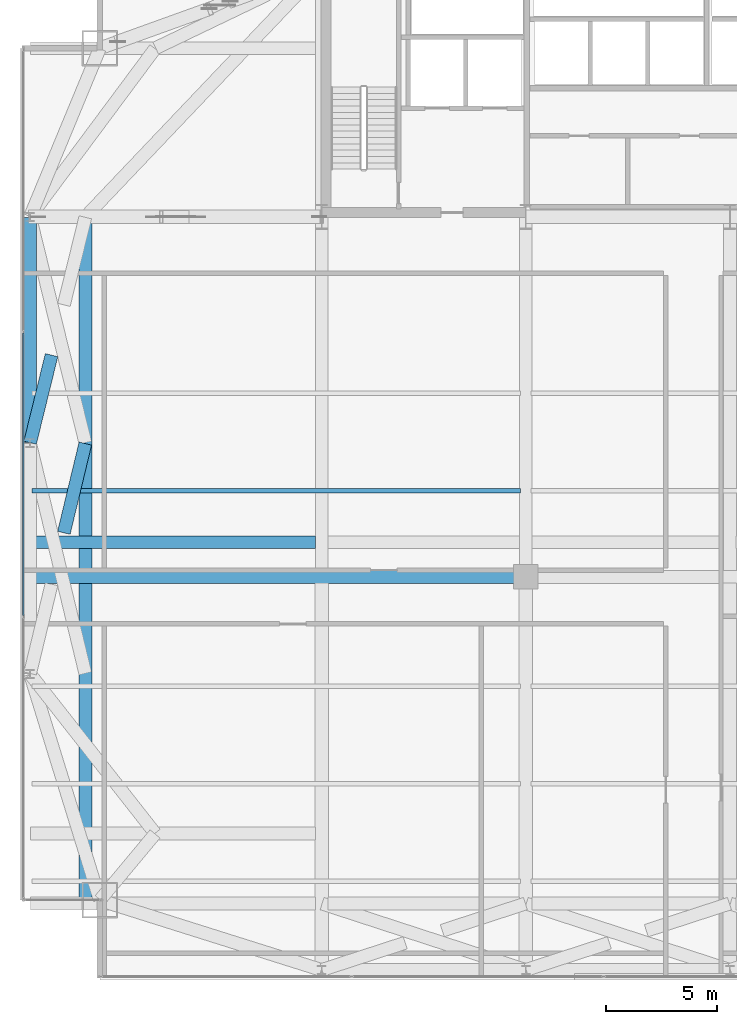
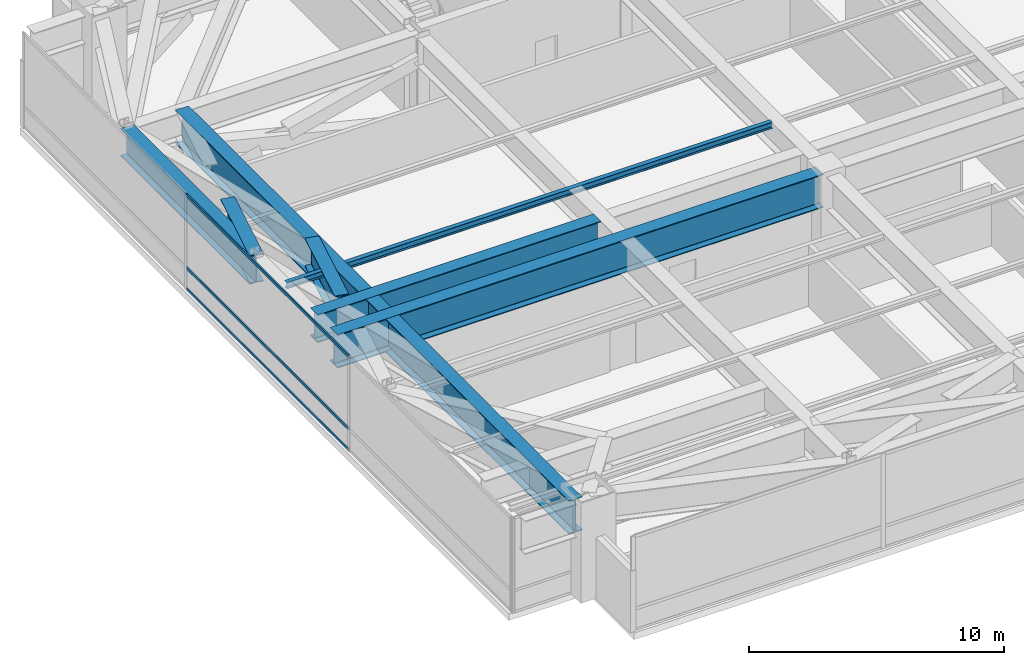
# One storey, part 9 of 30: 7 beams, 3 members, 1 element without a shape of its own.
"""IFC4 building model written with IfcOpenShell, lengths in metres."""

from ifc_helpers import new_model, si_unit, direction, frame, origin, origin_2d, place, context, subcontext, project, spatial, hollow_rectangle, i_section, extrude, source, transform, mapped, material, layer, layer_set, material_profile, profile_set, type_object, type_shapes, element, aggregate, save


model = new_model("IFC4")

# Units and contexts
model_context = context("Model", 3, precision=1e-05, world=origin(), true_north=direction((0.0, 1.0)))
body_context = subcontext(model_context, "Body", "Model", "MODEL_VIEW")
ifc_project = project(units=[si_unit("LENGTHUNIT", "METRE"), si_unit("AREAUNIT", "SQUARE_METRE"), si_unit("VOLUMEUNIT", "CUBIC_METRE"), si_unit("PLANEANGLEUNIT", "RADIAN"), si_unit("MASSUNIT", "GRAM", prefix="KILO")], contexts=[model_context])

# Site, building, storey
site_placement = place(None, origin())
site = spatial("IfcSite", under=ifc_project, at=site_placement, CompositionType="ELEMENT")
building_placement = place(site_placement, origin())
building = spatial("IfcBuilding", under=site, at=building_placement, Name="Varnel Quay Broadcast Tower", CompositionType="ELEMENT")
storey_placement = place(building_placement, frame((0.0, 0.0, 82.199951171875)))
storey = spatial("IfcBuildingStorey", under=building, at=storey_placement, Name="L19", CompositionType="ELEMENT", Elevation=82.199951171875)

# Beams
ifc_material_1 = material(Name="Structural Steel CSA G40.21 350WT", Category="steel")
ifc_material_profile_1 = material_profile(ifc_material_1, i_section(OverallWidth=0.580078125, OverallDepth=1.330078125, WebThickness=0.02197265625, FlangeThickness=0.0380859375, FilletRadius=0.02001953125, at=origin_2d()), Name="WWF1330X535")
ifc_profile_set_1 = profile_set([ifc_material_profile_1], Name="Structural Steel CSA G40.21 350WT")
beam_type_1 = type_object("IfcBeamType", Name="Girder_WWF1330X535", PredefinedType="BEAM", material=ifc_profile_set_1)
shared_shape_1 = source(origin(), body_context, "Body", "SweptSolid", [
    extrude(i_section(OverallWidth=0.580078125, OverallDepth=1.330078125, WebThickness=0.02197265625, FlangeThickness=0.0380859375, FilletRadius=0.02001953125, at=origin_2d()), origin(), (0.0, 0.0, 1.0), 10.16015625),
])
beam_1_placement = place(storey_placement, frame((2.449951171875, 25.419921875, 3.885009765625), z_axis=(0.0, 1.0, 0.0), x_axis=(-1.0, 0.0, 0.0)))
element("IfcBeam", 1, at=beam_1_placement, inside=storey, type_object=beam_type_1, Name="L19 West Transfer Spine TC-W2-TC-W3", PredefinedType="BEAM", context=body_context, shape_type="MappedRepresentation", body=[
    mapped(shared_shape_1, transform((0.0, 0.0, 0.0), x_axis=(1.0, 0.0, 0.0), y_axis=(0.0, 1.0, 0.0), z_axis=(0.0, 0.0, 1.0), scale=1.0)),
])
ifc_material_profile_2 = material_profile(ifc_material_1, i_section(OverallWidth=0.60009765625, OverallDepth=1.60009765625, WebThickness=0.02392578125, FlangeThickness=0.0419921875, FilletRadius=0.02197265625, at=origin_2d()), Name="WWF1600X620")
ifc_profile_set_2 = profile_set([ifc_material_profile_2], Name="Structural Steel CSA G40.21 350WT")
beam_type_2 = type_object("IfcBeamType", Name="Girder_WWF1600X620", PredefinedType="BEAM", material=ifc_profile_set_2)
shared_shape_2 = source(origin(), body_context, "Body", "SweptSolid", [
    extrude(i_section(OverallWidth=0.60009765625, OverallDepth=1.60009765625, WebThickness=0.02392578125, FlangeThickness=0.0419921875, FilletRadius=0.02197265625, at=origin_2d()), origin(), (0.0, 0.0, 1.0), 22.025146484375),
])
beam_2_placement = place(storey_placement, frame((2.469970703125, 19.3701171875, 3.75), z_axis=(1.0, 0.0, 0.0), x_axis=(0.0, 1.0, 0.0)))
element("IfcBeam", 2, at=beam_2_placement, inside=storey, type_object=beam_type_2, Name="L19 Mid Transfer Spine W", PredefinedType="BEAM", context=body_context, shape_type="MappedRepresentation", body=[
    mapped(shared_shape_2, transform((0.0, 0.0, 0.0), x_axis=(1.0, 0.0, 0.0), y_axis=(0.0, 1.0, 0.0), z_axis=(0.0, 0.0, 1.0), scale=1.0)),
])
shared_shape_3 = source(origin(), body_context, "Body", "SweptSolid", [
    extrude(i_section(OverallWidth=0.580078125, OverallDepth=1.330078125, WebThickness=0.02197265625, FlangeThickness=0.0380859375, FilletRadius=0.02001953125, at=origin_2d()), origin(), (0.0, 0.0, 1.0), 12.844970703125),
])
beam_3_placement = place(storey_placement, frame((2.469970703125, 20.929931640625, 3.885009765625), z_axis=(1.0, 0.0, 0.0), x_axis=(0.0, 1.0, 0.0)))
element("IfcBeam", 3, at=beam_3_placement, inside=storey, type_object=beam_type_1, Name="L19 Setback Interior Column Transfer 1", PredefinedType="BEAM", context=body_context, shape_type="MappedRepresentation", body=[
    mapped(shared_shape_3, transform((0.0, 0.0, 0.0), x_axis=(1.0, 0.0, 0.0), y_axis=(0.0, 1.0, 0.0), z_axis=(0.0, 0.0, 1.0), scale=1.0)),
])
shared_shape_4 = source(origin(), body_context, "Body", "SweptSolid", [
    extrude(i_section(OverallWidth=0.60009765625, OverallDepth=1.60009765625, WebThickness=0.02392578125, FlangeThickness=0.0419921875, FilletRadius=0.02197265625, at=origin_2d()), origin(), (0.0, 0.0, 1.0), 30.91015625),
])
type_shapes(beam_type_2, [shared_shape_2, shared_shape_4])
beam_4_placement = place(storey_placement, frame((4.949951171875, 4.669921875, 3.75), z_axis=(0.0, 1.0, 0.0), x_axis=(-1.0, 0.0, 0.0)))
element("IfcBeam", 4, at=beam_4_placement, inside=storey, type_object=beam_type_2, Name="L19 Setback West Transfer Header", PredefinedType="BEAM", context=body_context, shape_type="MappedRepresentation", body=[
    mapped(shared_shape_4, transform((0.0, 0.0, 0.0), x_axis=(1.0, 0.0, 0.0), y_axis=(0.0, 1.0, 0.0), z_axis=(0.0, 0.0, 1.0), scale=1.0)),
])
shared_shape_5 = source(origin(), body_context, "Body", "SweptSolid", [
    extrude(i_section(OverallWidth=0.580078125, OverallDepth=1.330078125, WebThickness=0.02197265625, FlangeThickness=0.0380859375, FilletRadius=0.02001953125, at=origin_2d()), origin(), (0.0, 0.0, 1.0), 4.137451171875),
])
beam_5_placement = place(storey_placement, frame((3.978271484375, 21.357666015625, 3.885009765625), z_axis=(0.233723314168, 0.972303148413, 0.0), x_axis=(-0.972303148413, 0.233723314168, 0.0)))
element("IfcBeam", 5, at=beam_5_placement, inside=storey, type_object=beam_type_1, Name="L19 X-Braced Transfer Tie TC-W2-TC-W1 Part 2", PredefinedType="BEAM", context=body_context, shape_type="MappedRepresentation", body=[
    mapped(shared_shape_5, transform((0.0, 0.0, 0.0), x_axis=(1.0, 0.0, 0.0), y_axis=(0.0, 1.0, 0.0), z_axis=(0.0, 0.0, 1.0), scale=1.0)),
])
shared_shape_6 = source(origin(), body_context, "Body", "SweptSolid", [
    extrude(i_section(OverallWidth=0.580078125, OverallDepth=1.330078125, WebThickness=0.02197265625, FlangeThickness=0.0380859375, FilletRadius=0.02001953125, at=origin_2d()), origin(), (0.0, 0.0, 1.0), 4.06298828125),
])
type_shapes(beam_type_1, [shared_shape_1, shared_shape_3, shared_shape_5, shared_shape_6])
beam_6_placement = place(storey_placement, frame((2.454833984375, 25.41943359375, 3.885009765625), z_axis=(0.238065394909, 0.97124912754, 0.0), x_axis=(-0.97124912754, 0.238065394909, 0.0)))
element("IfcBeam", 6, at=beam_6_placement, inside=storey, type_object=beam_type_1, Name="L19 X-Braced Transfer Tie TC-W3-TC-W2 Part 1", PredefinedType="BEAM", context=body_context, shape_type="MappedRepresentation", body=[
    mapped(shared_shape_6, transform((0.0, 0.0, 0.0), x_axis=(1.0, 0.0, 0.0), y_axis=(0.0, 1.0, 0.0), z_axis=(0.0, 0.0, 1.0), scale=1.0)),
])
ifc_material_2 = material(Name="Structural Steel CSA G40.21 350W", Category="steel")
ifc_material_profile_3 = material_profile(ifc_material_2, i_section(OverallWidth=0.202880859375, OverallDepth=0.302978515625, WebThickness=0.007568359375, FlangeThickness=0.01318359375, FilletRadius=0.011962890625, at=origin_2d()), Name="W310X60")
ifc_profile_set_3 = profile_set([ifc_material_profile_3], Name="Structural Steel CSA G40.21 350W")
beam_type_3 = type_object("IfcBeamType", Name="Beam_W310X60", PredefinedType="JOIST", material=ifc_profile_set_3)
shared_shape_7 = source(origin(), body_context, "Body", "SweptSolid", [
    extrude(i_section(OverallWidth=0.202880859375, OverallDepth=0.302978515625, WebThickness=0.007568359375, FlangeThickness=0.01318359375, FilletRadius=0.011962890625, at=origin_2d()), origin(), (0.0, 0.0, 1.0), 22.01953125),
])
type_shapes(beam_type_3, [shared_shape_7])
beam_7_placement = place(storey_placement, frame((2.535400390625, 23.25, 4.3984375), z_axis=(1.0, 0.0, 0.0), x_axis=(0.0, 1.0, 0.0)))
element("IfcBeam", 7, at=beam_7_placement, inside=storey, type_object=beam_type_3, Name="L19 West Floor Joist 5", PredefinedType="JOIST", context=body_context, shape_type="MappedRepresentation", body=[
    mapped(shared_shape_7, transform((0.0, 0.0, 0.0), x_axis=(1.0, 0.0, 0.0), y_axis=(0.0, 1.0, 0.0), z_axis=(0.0, 0.0, 1.0), scale=1.0)),
])

# Curtain wall, members
ifc_material_3 = material(Name="Anodised Bronze Aluminium 6063-T6", Category="aluminium")
ifc_layer = layer(ifc_material_3, 0.18994140625, Name="Anodised Bronze Aluminium 6063-T6")
ifc_layer_set = layer_set([ifc_layer], Name="Anodised Bronze Aluminium 6063-T6")
curtain_wall_type = type_object("IfcCurtainWallType", Name="CW_LowerTower", PredefinedType="NOTDEFINED", material=ifc_layer_set)
curtain_wall_placement = place(storey_placement, origin())
curtain_wall = element("IfcCurtainWall", 8, at=curtain_wall_placement, inside=storey, type_object=curtain_wall_type, Name="L19 West Unitised Curtain Wall", PredefinedType="NOTDEFINED")
ifc_material_profile_4 = material_profile(ifc_material_3, hollow_rectangle(XDim=0.06005859375, YDim=0.14501953125, WallThickness=0.00341796875, at=origin_2d()), Name="ALU60X145X3.5")
ifc_profile_set_4 = profile_set([ifc_material_profile_4], Name="Anodised Bronze Aluminium 6063-T6")
member_type = type_object("IfcMemberType", Name="Tran_CWS-02", PredefinedType="USERDEFINED", material=ifc_profile_set_4)
shared_shape_8 = source(origin(), body_context, "Body", "SweptSolid", [
    extrude(hollow_rectangle(XDim=0.06005859375, YDim=0.14501953125, WallThickness=0.00341796875, at=origin_2d()), origin(), (0.0, 0.0, 1.0), 12.72998046875),
])
type_shapes(member_type, [shared_shape_8])
member_1_placement = place(storey_placement, frame((2.14990234375, 17.635009765625, 0.030029296875), z_axis=(0.0, 1.0, 0.0), x_axis=(-1.0, 0.0, 0.0)))
member_1 = element("IfcMember", 9, at=member_1_placement, type_object=member_type, Name="CWS-02 transom 2.1", ObjectType="TRANSOM", PredefinedType="USERDEFINED", context=body_context, shape_type="MappedRepresentation", body=[
    mapped(shared_shape_8, transform((0.0, 0.0, 0.0), x_axis=(1.0, 0.0, 0.0), y_axis=(0.0, 1.0, 0.0), z_axis=(0.0, 0.0, 1.0), scale=1.0)),
])
member_2_placement = place(storey_placement, frame((2.14990234375, 17.635009765625, 1.050048828125), z_axis=(0.0, 1.0, 0.0), x_axis=(-1.0, 0.0, 0.0)))
member_2 = element("IfcMember", 10, at=member_2_placement, type_object=member_type, Name="CWS-02 transom 2.2", ObjectType="TRANSOM", PredefinedType="USERDEFINED", context=body_context, shape_type="MappedRepresentation", body=[
    mapped(shared_shape_8, transform((0.0, 0.0, 0.0), x_axis=(1.0, 0.0, 0.0), y_axis=(0.0, 1.0, 0.0), z_axis=(0.0, 0.0, 1.0), scale=1.0)),
])
member_3_placement = place(storey_placement, frame((2.14990234375, 17.635009765625, 4.52001953125), z_axis=(0.0, 1.0, 0.0), x_axis=(-1.0, 0.0, 0.0)))
member_3 = element("IfcMember", 11, at=member_3_placement, type_object=member_type, Name="CWS-02 transom 2.3", ObjectType="TRANSOM", PredefinedType="USERDEFINED", context=body_context, shape_type="MappedRepresentation", body=[
    mapped(shared_shape_8, transform((0.0, 0.0, 0.0), x_axis=(1.0, 0.0, 0.0), y_axis=(0.0, 1.0, 0.0), z_axis=(0.0, 0.0, 1.0), scale=1.0)),
])
aggregate(curtain_wall, [member_1, member_2, member_3])

save(model, "model.ifc")
